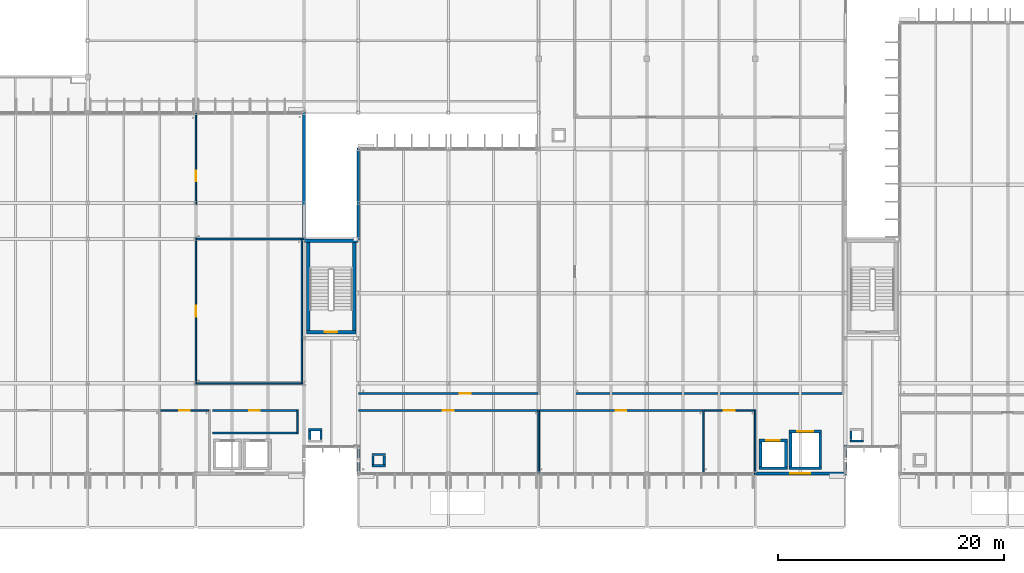
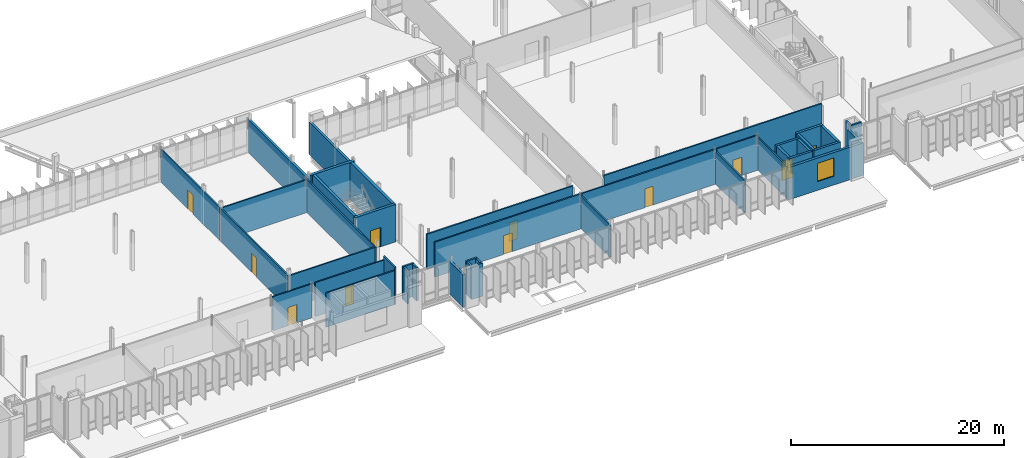
# One storey, part 63 of 107: 43 walls, 11 doors, 1 window, 12 openings.
"""IFC4 building model written with IfcOpenShell, lengths in metres."""

from ifc_helpers import new_model, si_unit, direction, frame, frame_2d, origin, place, context, subcontext, project, spatial, rectangle, extrude, material, layer, layer_set, type_object, element, fill, save


model = new_model("IFC4")

# Units and contexts
model_context = context("Model", 3, precision=1e-05, world=origin(), true_north=direction((0.0, 1.0)))
body_context = subcontext(model_context, "Body", "Model", "MODEL_VIEW")
ifc_project = project(units=[si_unit("LENGTHUNIT", "METRE"), si_unit("AREAUNIT", "SQUARE_METRE"), si_unit("VOLUMEUNIT", "CUBIC_METRE"), si_unit("PLANEANGLEUNIT", "RADIAN"), si_unit("MASSUNIT", "GRAM", prefix="KILO")], contexts=[model_context])

# Site, building, storey
site_placement = place(None, origin())
site = spatial("IfcSite", under=ifc_project, at=site_placement, CompositionType="ELEMENT")
building_placement = place(site_placement, origin())
building = spatial("IfcBuilding", under=site, at=building_placement, Name="Dunescarp Central Library", CompositionType="ELEMENT")
storey_placement = place(building_placement, frame((0.0, 0.0, 5.10009765625)))
storey = spatial("IfcBuildingStorey", under=building, at=storey_placement, Name="L01", CompositionType="ELEMENT", Elevation=5.10009765625)

# Wall
ifc_material_1 = material(Name="Gypsum plasterboard acoustic partition")
ifc_layer_1 = layer(ifc_material_1, 0.14990234375)
ifc_layer_set_1 = layer_set([ifc_layer_1], Name="Gypsum plasterboard acoustic partition")
wall_type_1 = type_object("IfcWallType", Name="ARC-PT-AC150", PredefinedType="PARTITIONING", material=ifc_layer_set_1)
wall_1_placement = place(storey_placement, frame((68.675048828125, 8.39990234375, 0.0), z_axis=(0.0, 0.0, 1.0), x_axis=(1.0, 0.0, 0.0)))
element("IfcWall", 1, at=wall_1_placement, inside=storey, type_object=wall_type_1, Name="L01 partition PT-L01-0171", PredefinedType="PARTITIONING", context=body_context, shape_type="SweptSolid", body=[
    extrude(rectangle(XDim=7.449951171875, YDim=0.14990234375, at=frame_2d((3.72509765625, 0.0))), origin(), (0.0, 0.0, 1.0), 3.90478515625),
])

# Wall, opening, door
wall_2_placement = place(storey_placement, frame((68.675048828125, 10.39990234375, 0.0), z_axis=(0.0, 0.0, 1.0), x_axis=(1.0, 0.0, 0.0)))
wall_2 = element("IfcWall", 2, at=wall_2_placement, inside=storey, type_object=wall_type_1, Name="L01 partition PT-L01-0172", PredefinedType="PARTITIONING", context=body_context, shape_type="SweptSolid", body=[
    extrude(rectangle(XDim=7.449951171875, YDim=0.14990234375, at=frame_2d((3.72509765625, 0.0))), origin(), (0.0, 0.0, 1.0), 3.90478515625),
])
opening_1_placement = place(wall_2_placement, frame((3.25, 0.0, 0.0)))
opening_1 = element("IfcOpeningElement", 3, at=opening_1_placement, cuts=wall_2, Name="Opening DR-L01-0067", PredefinedType="OPENING", context=body_context, shape_type="SweptSolid", body=[
    extrude(rectangle(XDim=0.949951171875, YDim=2.14990234375, at=frame_2d((0.47509765625, 1.074951171875))), frame((0.0, 0.0849609375, 0.0), z_axis=(0.0, -1.0, 0.0), x_axis=(1.0, 0.0, 0.0)), (0.0, 0.0, 1.0), 0.169921875),
])
ifc_material_2 = material(Name="Hardwood solid-core timber leaf", Category="wood")
door_type_1 = type_object("IfcDoorType", Name="ARC-DR-INT950", OperationType="NOTDEFINED", PredefinedType="DOOR", material=ifc_material_2)
door_1_placement = place(opening_1_placement, origin())
door_1 = element("IfcDoor", 4, at=door_1_placement, inside=storey, type_object=door_type_1, Name="L01 interior door DR-L01-0067", OperationType="SINGLE_SWING_LEFT", OverallHeight=2.14990234375, OverallWidth=0.949951171875, PredefinedType="DOOR", context=body_context, shape_type="SweptSolid", body=[
    extrude(rectangle(XDim=0.949951171875, YDim=2.14990234375, at=frame_2d((0.47509765625, 1.074951171875))), frame((0.0, 0.02490234375, 0.0), z_axis=(0.0, -1.0, 0.0), x_axis=(1.0, 0.0, 0.0)), (0.0, 0.0, 1.0), 0.050048828125),
])
fill(opening_1, door_1)

# Walls
wall_3_placement = place(storey_placement, frame((76.199951171875, 8.324951171875, 0.0), z_axis=(0.0, 0.0, 1.0), x_axis=(0.0, 1.0, 0.0)))
element("IfcWall", 5, at=wall_3_placement, inside=storey, type_object=wall_type_1, Name="L01 partition PT-L01-0173", PredefinedType="PARTITIONING", context=body_context, shape_type="SweptSolid", body=[
    extrude(rectangle(XDim=2.150146484375, YDim=0.14990234375, at=frame_2d((1.0751953125, 0.0))), origin(), (0.0, 0.0, 1.0), 4.289794921875),
])
for number, where, z_axis, x_axis, name in (
    (6, (67.27490234375, 12.800048828125, 0.0), (0.0, 0.0, 1.0), (1.0, 0.0, 0.0), "L01 partition PT-L01-0174"),
    (7, (67.27490234375, 25.60009765625, 0.0), (0.0, 0.0, 1.0), (1.0, 0.0, 0.0), "L01 partition PT-L01-0175"),
):
    element("IfcWall", number, at=place(storey_placement, frame(where, z_axis=z_axis, x_axis=x_axis)), inside=storey, type_object=wall_type_1, Name=name, PredefinedType="PARTITIONING", context=body_context, shape_type="SweptSolid", body=[
        extrude(rectangle(XDim=9.25, YDim=0.14990234375, at=frame_2d((4.625, 0.0))), origin(), (0.0, 0.0, 1.0), 3.764892578125),
    ])

# Wall, opening, door
wall_4_placement = place(storey_placement, frame((67.199951171875, 12.72509765625, 0.0), z_axis=(0.0, 0.0, 1.0), x_axis=(0.0, 1.0, 0.0)))
wall_4 = element("IfcWall", 8, at=wall_4_placement, inside=storey, type_object=wall_type_1, Name="L01 partition PT-L01-0176", PredefinedType="PARTITIONING", context=body_context, shape_type="SweptSolid", body=[
    extrude(rectangle(XDim=12.949951171875, YDim=0.14990234375, at=frame_2d((6.47509765625, 0.0))), origin(), (0.0, 0.0, 1.0), 3.764892578125),
])
opening_2_placement = place(wall_4_placement, frame((6.0, 0.0, 0.0)))
opening_2 = element("IfcOpeningElement", 9, at=opening_2_placement, cuts=wall_4, Name="Opening DR-L01-0068", PredefinedType="OPENING", context=body_context, shape_type="SweptSolid", body=[
    extrude(rectangle(XDim=0.949951171875, YDim=2.14990234375, at=frame_2d((0.47509765625, 1.074951171875))), frame((0.0, 0.0849609375, 0.0), z_axis=(0.0, -1.0, 0.0), x_axis=(1.0, 0.0, 0.0)), (0.0, 0.0, 1.0), 0.169921875),
])
door_2_placement = place(opening_2_placement, origin())
door_2 = element("IfcDoor", 10, at=door_2_placement, inside=storey, type_object=door_type_1, Name="L01 interior door DR-L01-0068", OperationType="SINGLE_SWING_RIGHT", OverallHeight=2.14990234375, OverallWidth=0.949951171875, PredefinedType="DOOR", context=body_context, shape_type="SweptSolid", body=[
    extrude(rectangle(XDim=0.949951171875, YDim=2.14990234375, at=frame_2d((0.47509765625, 1.074951171875))), frame((0.0, 0.02490234375, 0.0), z_axis=(0.0, -1.0, 0.0), x_axis=(1.0, 0.0, 0.0)), (0.0, 0.0, 1.0), 0.050048828125),
])
fill(opening_2, door_2)

# Wall
wall_5_placement = place(storey_placement, frame((76.60009765625, 12.72509765625, 0.0), z_axis=(0.0, 0.0, 1.0), x_axis=(0.0, 1.0, 0.0)))
element("IfcWall", 11, at=wall_5_placement, inside=storey, type_object=wall_type_1, Name="L01 partition PT-L01-0177", PredefinedType="PARTITIONING", context=body_context, shape_type="SweptSolid", body=[
    extrude(rectangle(XDim=12.949951171875, YDim=0.14990234375, at=frame_2d((6.47509765625, 0.0))), origin(), (0.0, 0.0, 1.0), 3.764892578125),
])

# Wall, opening, door
wall_6_placement = place(storey_placement, frame((67.199951171875, 25.60009765625, 0.0), z_axis=(0.0, 0.0, 1.0), x_axis=(0.0, 1.0, 0.0)))
wall_6 = element("IfcWall", 12, at=wall_6_placement, inside=storey, type_object=wall_type_1, Name="L01 partition PT-L01-0178", PredefinedType="PARTITIONING", context=body_context, shape_type="SweptSolid", body=[
    extrude(rectangle(XDim=11.159912109375, YDim=0.14990234375, at=frame_2d((5.580078125, 0.0))), origin(), (0.0, 0.0, 1.0), 3.764892578125),
])
opening_3_placement = place(wall_6_placement, frame((5.10498046875, 0.0, 0.0)))
opening_3 = element("IfcOpeningElement", 13, at=opening_3_placement, cuts=wall_6, Name="Opening DR-L01-0069", PredefinedType="OPENING", context=body_context, shape_type="SweptSolid", body=[
    extrude(rectangle(XDim=0.949951171875, YDim=2.14990234375, at=frame_2d((0.47509765625, 1.074951171875))), frame((0.0, 0.0849609375, 0.0), z_axis=(0.0, -1.0, 0.0), x_axis=(1.0, 0.0, 0.0)), (0.0, 0.0, 1.0), 0.169921875),
])
door_3_placement = place(opening_3_placement, origin())
door_3 = element("IfcDoor", 14, at=door_3_placement, inside=storey, type_object=door_type_1, Name="L01 interior door DR-L01-0069", OperationType="SINGLE_SWING_LEFT", OverallHeight=2.14990234375, OverallWidth=0.949951171875, PredefinedType="DOOR", context=body_context, shape_type="SweptSolid", body=[
    extrude(rectangle(XDim=0.949951171875, YDim=2.14990234375, at=frame_2d((0.47509765625, 1.074951171875))), frame((0.0, 0.02490234375, 0.0), z_axis=(0.0, -1.0, 0.0), x_axis=(1.0, 0.0, 0.0)), (0.0, 0.0, 1.0), 0.050048828125),
])
fill(opening_3, door_3)

wall_7_placement = place(storey_placement, frame((81.639892578125, 10.39990234375, 0.0), z_axis=(0.0, 0.0, 1.0), x_axis=(1.0, 0.0, 0.0)))
wall_7 = element("IfcWall", 15, at=wall_7_placement, inside=storey, type_object=wall_type_1, Name="L01 partition PT-L01-0272", PredefinedType="PARTITIONING", context=body_context, shape_type="SweptSolid", body=[
    extrude(rectangle(XDim=15.885009765625, YDim=0.14990234375, at=frame_2d((7.9423828125, 0.0))), origin(), (0.0, 0.0, 1.0), 4.014892578125),
])
opening_4_placement = place(wall_7_placement, frame((7.468017578125, 0.0, 0.0)))
opening_4 = element("IfcOpeningElement", 16, at=opening_4_placement, cuts=wall_7, Name="Opening DR-L01-0113", PredefinedType="OPENING", context=body_context, shape_type="SweptSolid", body=[
    extrude(rectangle(XDim=0.949951171875, YDim=2.14990234375, at=frame_2d((0.47509765625, 1.074951171875))), frame((0.0, 0.0849609375, 0.0), z_axis=(0.0, -1.0, 0.0), x_axis=(1.0, 0.0, 0.0)), (0.0, 0.0, 1.0), 0.169921875),
])
door_4_placement = place(opening_4_placement, origin())
door_4 = element("IfcDoor", 17, at=door_4_placement, inside=storey, type_object=door_type_1, Name="L01 interior door DR-L01-0113", OperationType="SINGLE_SWING_RIGHT", OverallHeight=2.14990234375, OverallWidth=0.949951171875, PredefinedType="DOOR", context=body_context, shape_type="SweptSolid", body=[
    extrude(rectangle(XDim=0.949951171875, YDim=2.14990234375, at=frame_2d((0.47509765625, 1.074951171875))), frame((0.0, 0.02490234375, 0.0), z_axis=(0.0, -1.0, 0.0), x_axis=(1.0, 0.0, 0.0)), (0.0, 0.0, 1.0), 0.050048828125),
])
fill(opening_4, door_4)

# Wall
wall_8_placement = place(storey_placement, frame((97.60009765625, 4.840087890625, 0.0), z_axis=(0.0, 0.0, 1.0), x_axis=(0.0, 1.0, 0.0)))
element("IfcWall", 18, at=wall_8_placement, inside=storey, type_object=wall_type_1, Name="L01 partition PT-L01-0273", PredefinedType="PARTITIONING", context=body_context, shape_type="SweptSolid", body=[
    extrude(rectangle(XDim=5.635009765625, YDim=0.14990234375, at=frame_2d((2.8173828125, 0.0))), origin(), (0.0, 0.0, 1.0), 3.71484375),
])

# Wall, opening, door
wall_9_placement = place(storey_placement, frame((97.60009765625, 10.39990234375, 0.0), z_axis=(0.0, 0.0, 1.0), x_axis=(1.0, 0.0, 0.0)))
wall_9 = element("IfcWall", 19, at=wall_9_placement, inside=storey, type_object=wall_type_1, Name="L01 partition PT-L01-0274", PredefinedType="PARTITIONING", context=body_context, shape_type="SweptSolid", body=[
    extrude(rectangle(XDim=14.599853515625, YDim=0.14990234375, at=frame_2d((7.2998046875, 0.0))), origin(), (0.0, 0.0, 1.0), 4.014892578125),
])
opening_5_placement = place(wall_9_placement, frame((6.85009765625, 0.0, 0.0)))
opening_5 = element("IfcOpeningElement", 20, at=opening_5_placement, cuts=wall_9, Name="Opening DR-L01-0114", PredefinedType="OPENING", context=body_context, shape_type="SweptSolid", body=[
    extrude(rectangle(XDim=0.89990234375, YDim=2.14990234375, at=frame_2d((0.449951171875, 1.074951171875))), frame((0.0, 0.0849609375, 0.0), z_axis=(0.0, -1.0, 0.0), x_axis=(1.0, 0.0, 0.0)), (0.0, 0.0, 1.0), 0.169921875),
])
door_type_2 = type_object("IfcDoorType", Name="ARC-DR-OFF900", OperationType="NOTDEFINED", PredefinedType="DOOR", material=ifc_material_2)
door_5_placement = place(opening_5_placement, origin())
door_5 = element("IfcDoor", 21, at=door_5_placement, inside=storey, type_object=door_type_2, Name="L01 interior door DR-L01-0114", OperationType="SINGLE_SWING_LEFT", OverallHeight=2.14990234375, OverallWidth=0.89990234375, PredefinedType="DOOR", context=body_context, shape_type="SweptSolid", body=[
    extrude(rectangle(XDim=0.89990234375, YDim=2.14990234375, at=frame_2d((0.449951171875, 1.074951171875))), frame((0.0, 0.02490234375, 0.0), z_axis=(0.0, -1.0, 0.0), x_axis=(1.0, 0.0, 0.0)), (0.0, 0.0, 1.0), 0.050048828125),
])
fill(opening_5, door_5)

wall_10_placement = place(storey_placement, frame((81.639892578125, 11.89990234375, 0.0), z_axis=(0.0, 0.0, 1.0), x_axis=(1.0, 0.0, 0.0)))
wall_10 = element("IfcWall", 22, at=wall_10_placement, inside=storey, type_object=wall_type_1, Name="L01 partition PT-L01-0275", PredefinedType="PARTITIONING", context=body_context, shape_type="SweptSolid", body=[
    extrude(rectangle(XDim=15.885009765625, YDim=0.14990234375, at=frame_2d((7.9423828125, 0.0))), origin(), (0.0, 0.0, 1.0), 4.014892578125),
])
opening_6_placement = place(wall_10_placement, frame((8.968017578125, 0.0, 0.0)))
opening_6 = element("IfcOpeningElement", 23, at=opening_6_placement, cuts=wall_10, Name="Opening DR-L01-0115", PredefinedType="OPENING", context=body_context, shape_type="SweptSolid", body=[
    extrude(rectangle(XDim=0.949951171875, YDim=2.14990234375, at=frame_2d((0.47509765625, 1.074951171875))), frame((0.0, 0.0849609375, 0.0), z_axis=(0.0, -1.0, 0.0), x_axis=(1.0, 0.0, 0.0)), (0.0, 0.0, 1.0), 0.169921875),
])
door_6_placement = place(opening_6_placement, origin())
door_6 = element("IfcDoor", 24, at=door_6_placement, inside=storey, type_object=door_type_1, Name="L01 interior door DR-L01-0115", OperationType="SINGLE_SWING_RIGHT", OverallHeight=2.14990234375, OverallWidth=0.949951171875, PredefinedType="DOOR", context=body_context, shape_type="SweptSolid", body=[
    extrude(rectangle(XDim=0.949951171875, YDim=2.14990234375, at=frame_2d((0.47509765625, 1.074951171875))), frame((0.0, 0.02490234375, 0.0), z_axis=(0.0, -1.0, 0.0), x_axis=(1.0, 0.0, 0.0)), (0.0, 0.0, 1.0), 0.050048828125),
])
fill(opening_6, door_6)

# Wall
wall_11_placement = place(storey_placement, frame((100.875, 11.89990234375, 0.0), z_axis=(0.0, 0.0, 1.0), x_axis=(1.0, 0.0, 0.0)))
element("IfcWall", 25, at=wall_11_placement, inside=storey, type_object=wall_type_1, Name="L01 partition PT-L01-0277", PredefinedType="PARTITIONING", context=body_context, shape_type="SweptSolid", body=[
    extrude(rectangle(XDim=23.64990234375, YDim=0.14990234375, at=frame_2d((11.824951171875, 0.0))), origin(), (0.0, 0.0, 1.0), 4.014892578125),
])

# Wall, opening, door
ifc_material_3 = material(Name="Autoclaved aerated concrete block", Category="concrete")
ifc_layer_2 = layer(ifc_material_3, 0.139892578125)
ifc_layer_set_2 = layer_set([ifc_layer_2], Name="Autoclaved aerated concrete block")
wall_type_2 = type_object("IfcWallType", Name="ARC-PT-WET140", PredefinedType="PARTITIONING", material=ifc_layer_set_2)
wall_12_placement = place(storey_placement, frame((64.070068359375, 10.39990234375, 0.0), z_axis=(0.0, 0.0, 1.0), x_axis=(1.0, 0.0, 0.0)))
wall_12 = element("IfcWall", 26, at=wall_12_placement, inside=storey, type_object=wall_type_2, Name="L01 partition PT-L01-0163", PredefinedType="PARTITIONING", context=body_context, shape_type="SweptSolid", body=[
    extrude(rectangle(XDim=4.260009765625, YDim=0.139892578125, at=frame_2d((2.1298828125, 0.0))), origin(), (0.0, 0.0, 1.0), 3.90478515625),
])
opening_7_placement = place(wall_12_placement, frame((1.655029296875, 0.0, 0.0)))
opening_7 = element("IfcOpeningElement", 27, at=opening_7_placement, cuts=wall_12, Name="Opening DR-L01-0063", PredefinedType="OPENING", context=body_context, shape_type="SweptSolid", body=[
    extrude(rectangle(XDim=0.949951171875, YDim=2.10009765625, at=frame_2d((0.47509765625, 1.050048828125))), frame((0.0, 0.080078125, 0.0), z_axis=(0.0, -1.0, 0.0), x_axis=(1.0, 0.0, 0.0)), (0.0, 0.0, 1.0), 0.159912109375),
])
door_type_3 = type_object("IfcDoorType", Name="ARC-DR-WC950", OperationType="NOTDEFINED", PredefinedType="DOOR", material=ifc_material_2)
door_7_placement = place(opening_7_placement, origin())
door_7 = element("IfcDoor", 28, at=door_7_placement, inside=storey, type_object=door_type_3, Name="L01 interior door DR-L01-0063", OperationType="SINGLE_SWING_LEFT", OverallHeight=2.10009765625, OverallWidth=0.949951171875, PredefinedType="DOOR", context=body_context, shape_type="SweptSolid", body=[
    extrude(rectangle(XDim=0.949951171875, YDim=2.10009765625, at=frame_2d((0.47509765625, 1.050048828125))), frame((0.0, 0.02490234375, 0.0), z_axis=(0.0, -1.0, 0.0), x_axis=(1.0, 0.0, 0.0)), (0.0, 0.0, 1.0), 0.050048828125),
])
fill(opening_7, door_7)

wall_13_placement = place(storey_placement, frame((112.27001953125, 10.39990234375, 0.0), z_axis=(0.0, 0.0, 1.0), x_axis=(1.0, 0.0, 0.0)))
wall_13 = element("IfcWall", 29, at=wall_13_placement, inside=storey, type_object=wall_type_2, Name="L01 partition PT-L01-0269", PredefinedType="PARTITIONING", context=body_context, shape_type="SweptSolid", body=[
    extrude(rectangle(XDim=4.4599609375, YDim=0.139892578125, at=frame_2d((2.22998046875, 0.0))), origin(), (0.0, 0.0, 1.0), 4.014892578125),
])
opening_8_placement = place(wall_13_placement, frame((1.7548828125, 0.0, 0.0)))
opening_8 = element("IfcOpeningElement", 30, at=opening_8_placement, cuts=wall_13, Name="Opening DR-L01-0112", PredefinedType="OPENING", context=body_context, shape_type="SweptSolid", body=[
    extrude(rectangle(XDim=0.949951171875, YDim=2.10009765625, at=frame_2d((0.47509765625, 1.050048828125))), frame((0.0, 0.080078125, 0.0), z_axis=(0.0, -1.0, 0.0), x_axis=(1.0, 0.0, 0.0)), (0.0, 0.0, 1.0), 0.159912109375),
])
door_8_placement = place(opening_8_placement, origin())
door_8 = element("IfcDoor", 31, at=door_8_placement, inside=storey, type_object=door_type_3, Name="L01 interior door DR-L01-0112", OperationType="SINGLE_SWING_LEFT", OverallHeight=2.10009765625, OverallWidth=0.949951171875, PredefinedType="DOOR", context=body_context, shape_type="SweptSolid", body=[
    extrude(rectangle(XDim=0.949951171875, YDim=2.10009765625, at=frame_2d((0.47509765625, 1.050048828125))), frame((0.0, 0.02490234375, 0.0), z_axis=(0.0, -1.0, 0.0), x_axis=(1.0, 0.0, 0.0)), (0.0, 0.0, 1.0), 0.050048828125),
])
fill(opening_8, door_8)

# Walls
for number, where, z_axis, x_axis, name in (
    (32, (112.199951171875, 4.840087890625, 0.0), (0.0, 0.0, 1.0), (0.0, 1.0, 0.0), "L01 partition PT-L01-0270"),
    (33, (116.800048828125, 4.840087890625, 0.0), (0.0, 0.0, 1.0), (0.0, 1.0, 0.0), "L01 partition PT-L01-0271"),
):
    element("IfcWall", number, at=place(storey_placement, frame(where, z_axis=z_axis, x_axis=x_axis)), inside=storey, type_object=wall_type_2, Name=name, PredefinedType="PARTITIONING", context=body_context, shape_type="SweptSolid", body=[
        extrude(rectangle(XDim=5.6298828125, YDim=0.139892578125, at=frame_2d((2.81494140625, 0.0))), origin(), (0.0, 0.0, 1.0), 3.71484375),
    ])
ifc_material_4 = material(Name="Glass-fibre reinforced concrete GRC", Category="concrete")
ifc_layer_3 = layer(ifc_material_4, 0.260009765625)
ifc_layer_set_3 = layer_set([ifc_layer_3], Name="Glass-fibre reinforced concrete GRC")
wall_type_3 = type_object("IfcWallType", Name="ARC-WL-GRC260", PredefinedType="SOLIDWALL", material=ifc_layer_set_3)
wall_14_placement = place(storey_placement, frame((76.800048828125, 36.885009765625, 0.0), z_axis=(0.0, 0.0, 1.0), x_axis=(0.0, -1.0, 0.0)))
element("IfcWall", 34, at=wall_14_placement, inside=storey, type_object=wall_type_3, Name="L01 external wall EW-V2-042", PredefinedType="SOLIDWALL", context=body_context, shape_type="SweptSolid", body=[
    extrude(rectangle(XDim=11.3701171875, YDim=0.260009765625, at=frame_2d((5.68505859375, 0.0))), origin(), (0.0, 0.0, 1.0), 3.764892578125),
])
wall_15_placement = place(storey_placement, frame((81.60009765625, 4.715087890625, 0.0), z_axis=(0.0, 0.0, 1.0), x_axis=(0.0, 1.0, 0.0)))
element("IfcWall", 35, at=wall_15_placement, inside=storey, type_object=wall_type_3, Name="L01 external wall EW-V3-072", PredefinedType="SOLIDWALL", context=body_context, shape_type="SweptSolid", body=[
    extrude(rectangle(XDim=2.56982421875, YDim=0.260009765625, at=frame_2d((1.284912109375, 0.0))), origin(), (0.0, 0.0, 1.0), 3.71484375),
])
wall_16_placement = place(storey_placement, frame((81.60009765625, 25.514892578125, 0.0), z_axis=(0.0, 0.0, 1.0), x_axis=(0.0, 1.0, 0.0)))
element("IfcWall", 36, at=wall_16_placement, inside=storey, type_object=wall_type_3, Name="L01 external wall EW-V3-073", PredefinedType="SOLIDWALL", context=body_context, shape_type="SweptSolid", body=[
    extrude(rectangle(XDim=8.170166015625, YDim=0.260009765625, at=frame_2d((4.0849609375, 0.0))), origin(), (0.0, 0.0, 1.0), 3.71484375),
])
wall_17_placement = place(storey_placement, frame((124.800048828125, 7.284912109375, 0.0), z_axis=(0.0, 0.0, 1.0), x_axis=(0.0, -1.0, 0.0)))
element("IfcWall", 37, at=wall_17_placement, inside=storey, type_object=wall_type_3, Name="L01 external wall EW-V3-074", PredefinedType="SOLIDWALL", context=body_context, shape_type="SweptSolid", body=[
    extrude(rectangle(XDim=2.56982421875, YDim=0.260009765625, at=frame_2d((1.284912109375, 0.0))), origin(), (0.0, 0.0, 1.0), 3.71484375),
])

# Wall, opening, window
ifc_layer_4 = layer(ifc_material_4, 0.280029296875)
ifc_layer_set_4 = layer_set([ifc_layer_4], Name="Glass-fibre reinforced concrete GRC")
wall_type_4 = type_object("IfcWallType", Name="ARC-WL-GRC280", PredefinedType="SOLIDWALL", material=ifc_layer_set_4)
wall_18_placement = place(storey_placement, frame((124.885009765625, 4.800048828125, 0.0), z_axis=(0.0, 0.0, 1.0), x_axis=(-1.0, 0.0, 0.0)))
wall_18 = element("IfcWall", 38, at=wall_18_placement, inside=storey, type_object=wall_type_4, Name="L01 external wall EW-V3-071", PredefinedType="SOLIDWALL", context=body_context, shape_type="SweptSolid", body=[
    extrude(rectangle(XDim=8.169921875, YDim=0.280029296875, at=frame_2d((4.0849609375, 0.0))), origin(), (0.0, 0.0, 1.0), 3.71484375),
])
opening_9_placement = place(wall_18_placement, frame((3.18505859375, 0.0, 1.0)))
opening_9 = element("IfcOpeningElement", 39, at=opening_9_placement, cuts=wall_18, Name="Opening WN-015", PredefinedType="OPENING", context=body_context, shape_type="SweptSolid", body=[
    extrude(rectangle(XDim=1.800048828125, YDim=2.10009765625, at=frame_2d((0.89990234375, 1.050048828125))), frame((0.0, 0.14990234375, 0.0), z_axis=(0.0, -1.0, 0.0), x_axis=(1.0, 0.0, 0.0)), (0.0, 0.0, 1.0), 0.300048828125),
])
ifc_material_5 = material(Name="Solar-control laminated double glazing", Category="glass")
window_type = type_object("IfcWindowType", Name="ARC-WN-1800X2100", PartitioningType="SINGLE_PANEL", PredefinedType="WINDOW", material=ifc_material_5)
window_placement = place(opening_9_placement, origin())
window = element("IfcWindow", 40, at=window_placement, inside=storey, type_object=window_type, Name="L01 window WN-015", OverallHeight=2.10009765625, OverallWidth=1.800048828125, PartitioningType="SINGLE_PANEL", PredefinedType="WINDOW", context=body_context, shape_type="SweptSolid", body=[
    extrude(rectangle(XDim=1.800048828125, YDim=2.10009765625, at=frame_2d((0.89990234375, 1.050048828125))), frame((0.0, 0.030029296875, 0.0), z_axis=(0.0, -1.0, 0.0), x_axis=(1.0, 0.0, 0.0)), (0.0, 0.0, 1.0), 0.06005859375),
])
fill(opening_9, window)

# Walls
ifc_material_6 = material(Name="Concrete C35/45", Category="concrete")
ifc_layer_5 = layer(ifc_material_6, 0.199951171875)
ifc_layer_set_5 = layer_set([ifc_layer_5], Name="Concrete C35/45")
wall_type_5 = type_object("IfcWallType", Name="ARC-WL-RISER200", PredefinedType="PARTITIONING", material=ifc_layer_set_5)
for number, where, z_axis, x_axis, name in (
    (41, (84.0, 5.5, 0.0), (0.0, 0.0, 1.0), (-1.0, 0.0, 0.0), "L01 V3 duct shaft wall S"),
    (42, (82.800048828125, 6.5, 0.0), (0.0, 0.0, 1.0), (1.0, 0.0, 0.0), "L01 V3 duct shaft wall N"),
):
    element("IfcWall", number, at=place(storey_placement, frame(where, z_axis=z_axis, x_axis=x_axis)), inside=storey, type_object=wall_type_5, Name=name, PredefinedType="PARTITIONING", context=body_context, shape_type="SweptSolid", body=[
        extrude(rectangle(XDim=1.199951171875, YDim=0.199951171875, at=frame_2d((0.60009765625, 0.0))), origin(), (0.0, 0.0, 1.0), 3.789794921875),
    ])
for number, where, z_axis, x_axis, name in (
    (43, (82.89990234375, 5.6201171875, 0.0), (0.0, 0.0, 1.0), (0.0, 1.0, 0.0), "L01 V3 duct shaft wall W"),
    (44, (83.89990234375, 6.3798828125, 0.0), (0.0, 0.0, 1.0), (0.0, -1.0, 0.0), "L01 V3 duct shaft wall E"),
):
    element("IfcWall", number, at=place(storey_placement, frame(where, z_axis=z_axis, x_axis=x_axis)), inside=storey, type_object=wall_type_5, Name=name, PredefinedType="PARTITIONING", context=body_context, shape_type="SweptSolid", body=[
        extrude(rectangle(XDim=0.759765625, YDim=0.199951171875, at=frame_2d((0.3798828125, 0.0))), origin(), (0.0, 0.0, 1.0), 3.789794921875),
    ])
wall_19_placement = place(storey_placement, frame((77.199951171875, 8.699951171875, 0.0), z_axis=(0.0, 0.0, 1.0), x_axis=(1.0, 0.0, 0.0)))
element("IfcWall", 45, at=wall_19_placement, inside=storey, type_object=wall_type_5, Name="L01 GL2 duct shaft wall N", PredefinedType="PARTITIONING", context=body_context, shape_type="SweptSolid", body=[
    extrude(rectangle(XDim=1.199951171875, YDim=0.199951171875, at=frame_2d((0.60009765625, 0.0))), origin(), (0.0, 0.0, 1.0), 3.789794921875),
])
for number, where, z_axis, x_axis, name in (
    (46, (77.300048828125, 7.820068359375, 0.0), (0.0, 0.0, 1.0), (0.0, 1.0, 0.0), "L01 GL2 duct shaft wall W"),
    (47, (78.300048828125, 8.580078125, 0.0), (0.0, 0.0, 1.0), (0.0, -1.0, 0.0), "L01 GL2 duct shaft wall E"),
):
    element("IfcWall", number, at=place(storey_placement, frame(where, z_axis=z_axis, x_axis=x_axis)), inside=storey, type_object=wall_type_5, Name=name, PredefinedType="PARTITIONING", context=body_context, shape_type="SweptSolid", body=[
        extrude(rectangle(XDim=0.760009765625, YDim=0.199951171875, at=frame_2d((0.3798828125, 0.0))), origin(), (0.0, 0.0, 1.0), 3.789794921875),
    ])
wall_20_placement = place(storey_placement, frame((126.39990234375, 7.699951171875, 0.0), z_axis=(0.0, 0.0, 1.0), x_axis=(-1.0, 0.0, 0.0)))
element("IfcWall", 48, at=wall_20_placement, inside=storey, type_object=wall_type_5, Name="L01 GL3 duct shaft wall S", PredefinedType="PARTITIONING", context=body_context, shape_type="SweptSolid", body=[
    extrude(rectangle(XDim=1.199951171875, YDim=0.199951171875, at=frame_2d((0.60009765625, 0.0))), origin(), (0.0, 0.0, 1.0), 3.789794921875),
])
wall_21_placement = place(storey_placement, frame((125.300048828125, 7.820068359375, 0.0), z_axis=(0.0, 0.0, 1.0), x_axis=(0.0, 1.0, 0.0)))
element("IfcWall", 49, at=wall_21_placement, inside=storey, type_object=wall_type_5, Name="L01 GL3 duct shaft wall W", PredefinedType="PARTITIONING", context=body_context, shape_type="SweptSolid", body=[
    extrude(rectangle(XDim=0.760009765625, YDim=0.199951171875, at=frame_2d((0.3798828125, 0.0))), origin(), (0.0, 0.0, 1.0), 3.789794921875),
])
ifc_material_7 = material(Name="Concrete C40/50", Category="concrete")
ifc_layer_6 = layer(ifc_material_7, 0.25)
ifc_layer_set_6 = layer_set([ifc_layer_6], Name="Concrete C40/50")
wall_type_6 = type_object("IfcWallType", Name="STR-WL-CORE250", PredefinedType="SHEAR", material=ifc_layer_set_6)
wall_22_placement = place(storey_placement, frame((119.64990234375, 5.27490234375, 0.0), z_axis=(0.0, 0.0, 1.0), x_axis=(-1.0, 0.0, 0.0)))
element("IfcWall", 50, at=wall_22_placement, inside=storey, type_object=wall_type_6, Name="L01 PL-3 lift shaft wall S", PredefinedType="SHEAR", context=body_context, shape_type="SweptSolid", body=[
    extrude(rectangle(XDim=2.5, YDim=0.25, at=frame_2d((1.25, 0.0))), origin(), (0.0, 0.0, 1.0), 4.289794921875),
])

# Wall, opening, door
wall_23_placement = place(storey_placement, frame((117.14990234375, 7.72509765625, 0.0), z_axis=(0.0, 0.0, 1.0), x_axis=(1.0, 0.0, 0.0)))
wall_23 = element("IfcWall", 51, at=wall_23_placement, inside=storey, type_object=wall_type_6, Name="L01 PL-3 lift shaft wall N", PredefinedType="SHEAR", context=body_context, shape_type="SweptSolid", body=[
    extrude(rectangle(XDim=2.5, YDim=0.25, at=frame_2d((1.25, 0.0))), origin(), (0.0, 0.0, 1.0), 4.289794921875),
])
opening_10_placement = place(wall_23_placement, frame((0.64990234375, 0.0, 0.0)))
opening_10 = element("IfcOpeningElement", 52, at=opening_10_placement, cuts=wall_23, Name="Opening LD-PL-3-L01", PredefinedType="OPENING", context=body_context, shape_type="SweptSolid", body=[
    extrude(rectangle(XDim=1.199951171875, YDim=2.199951171875, at=frame_2d((0.60009765625, 1.10009765625))), frame((0.0, 0.135009765625, 0.0), z_axis=(0.0, -1.0, 0.0), x_axis=(1.0, 0.0, 0.0)), (0.0, 0.0, 1.0), 0.27001953125),
])
ifc_material_8 = material(Name="Stainless steel Grade 316L", Category="steel")
door_type_4 = type_object("IfcDoorType", Name="ARC-DR-LD1200", OperationType="DOUBLE_DOOR_SLIDING", PredefinedType="DOOR", material=ifc_material_8)
door_9_placement = place(opening_10_placement, origin())
door_9 = element("IfcDoor", 53, at=door_9_placement, inside=storey, type_object=door_type_4, Name="L01 PL-3 lift landing door", OperationType="DOUBLE_DOOR_SLIDING", OverallHeight=2.199951171875, OverallWidth=1.199951171875, PredefinedType="DOOR", context=body_context, shape_type="SweptSolid", body=[
    extrude(rectangle(XDim=1.199951171875, YDim=2.199951171875, at=frame_2d((0.60009765625, 1.10009765625))), frame((0.0, 0.02490234375, 0.0), z_axis=(0.0, -1.0, 0.0), x_axis=(1.0, 0.0, 0.0)), (0.0, 0.0, 1.0), 0.050048828125),
])
fill(opening_10, door_9)

# Walls
for number, where, z_axis, x_axis, name in (
    (54, (117.27490234375, 5.39990234375, 0.0), (0.0, 0.0, 1.0), (0.0, 1.0, 0.0), "L01 PL-3 lift shaft wall W"),
    (55, (119.52490234375, 7.60009765625, 0.0), (0.0, 0.0, 1.0), (0.0, -1.0, 0.0), "L01 PL-3 lift shaft wall E"),
):
    element("IfcWall", number, at=place(storey_placement, frame(where, z_axis=z_axis, x_axis=x_axis)), inside=storey, type_object=wall_type_6, Name=name, PredefinedType="SHEAR", context=body_context, shape_type="SweptSolid", body=[
        extrude(rectangle(XDim=2.2001953125, YDim=0.25, at=frame_2d((1.10009765625, 0.0))), origin(), (0.0, 0.0, 1.0), 4.289794921875),
    ])
wall_24_placement = place(storey_placement, frame((122.699951171875, 5.27490234375, 0.0), z_axis=(0.0, 0.0, 1.0), x_axis=(-1.0, 0.0, 0.0)))
element("IfcWall", 56, at=wall_24_placement, inside=storey, type_object=wall_type_6, Name="L01 BL-1 lift shaft wall S", PredefinedType="SHEAR", context=body_context, shape_type="SweptSolid", body=[
    extrude(rectangle(XDim=2.89990234375, YDim=0.25, at=frame_2d((1.449951171875, 0.0))), origin(), (0.0, 0.0, 1.0), 4.289794921875),
])

# Wall, opening, door
wall_25_placement = place(storey_placement, frame((119.800048828125, 8.52490234375, 0.0), z_axis=(0.0, 0.0, 1.0), x_axis=(1.0, 0.0, 0.0)))
wall_25 = element("IfcWall", 57, at=wall_25_placement, inside=storey, type_object=wall_type_6, Name="L01 BL-1 lift shaft wall N", PredefinedType="SHEAR", context=body_context, shape_type="SweptSolid", body=[
    extrude(rectangle(XDim=2.89990234375, YDim=0.25, at=frame_2d((1.449951171875, 0.0))), origin(), (0.0, 0.0, 1.0), 4.289794921875),
])
opening_11_placement = place(wall_25_placement, frame((0.75, 0.0, 0.0)))
opening_11 = element("IfcOpeningElement", 58, at=opening_11_placement, cuts=wall_25, Name="Opening LD-BL-1-L01", PredefinedType="OPENING", context=body_context, shape_type="SweptSolid", body=[
    extrude(rectangle(XDim=1.39990234375, YDim=2.199951171875, at=frame_2d((0.699951171875, 1.10009765625))), frame((0.0, 0.135009765625, 0.0), z_axis=(0.0, -1.0, 0.0), x_axis=(1.0, 0.0, 0.0)), (0.0, 0.0, 1.0), 0.27001953125),
])
door_type_5 = type_object("IfcDoorType", Name="ARC-DR-LD1400", OperationType="DOUBLE_DOOR_SLIDING", PredefinedType="DOOR", material=ifc_material_8)
door_10_placement = place(opening_11_placement, origin())
door_10 = element("IfcDoor", 59, at=door_10_placement, inside=storey, type_object=door_type_5, Name="L01 BL-1 lift landing door", OperationType="DOUBLE_DOOR_SLIDING", OverallHeight=2.199951171875, OverallWidth=1.39990234375, PredefinedType="DOOR", context=body_context, shape_type="SweptSolid", body=[
    extrude(rectangle(XDim=1.39990234375, YDim=2.199951171875, at=frame_2d((0.699951171875, 1.10009765625))), frame((0.0, 0.02490234375, 0.0), z_axis=(0.0, -1.0, 0.0), x_axis=(1.0, 0.0, 0.0)), (0.0, 0.0, 1.0), 0.050048828125),
])
fill(opening_11, door_10)

# Walls
for number, where, z_axis, x_axis, name in (
    (60, (119.925048828125, 5.39990234375, 0.0), (0.0, 0.0, 1.0), (0.0, 1.0, 0.0), "L01 BL-1 lift shaft wall W"),
    (61, (122.574951171875, 8.39990234375, 0.0), (0.0, 0.0, 1.0), (0.0, -1.0, 0.0), "L01 BL-1 lift shaft wall E"),
):
    element("IfcWall", number, at=place(storey_placement, frame(where, z_axis=z_axis, x_axis=x_axis)), inside=storey, type_object=wall_type_6, Name=name, PredefinedType="SHEAR", context=body_context, shape_type="SweptSolid", body=[
        extrude(rectangle(XDim=3.0, YDim=0.25, at=frame_2d((1.5, 0.0))), origin(), (0.0, 0.0, 1.0), 4.289794921875),
    ])

# Wall, opening, door
ifc_layer_7 = layer(ifc_material_7, 0.300048828125)
ifc_layer_set_7 = layer_set([ifc_layer_7], Name="Concrete C40/50")
wall_type_7 = type_object("IfcWallType", Name="STR-WL-CORE300", PredefinedType="SHEAR", material=ifc_layer_set_7)
wall_26_placement = place(storey_placement, frame((81.39990234375, 17.35009765625, 0.0), z_axis=(0.0, 0.0, 1.0), x_axis=(-1.0, 0.0, 0.0)))
wall_26 = element("IfcWall", 62, at=wall_26_placement, inside=storey, type_object=wall_type_7, Name="L01 ST-3 south core wall", PredefinedType="SHEAR", context=body_context, shape_type="SweptSolid", body=[
    extrude(rectangle(XDim=4.39990234375, YDim=0.300048828125, at=frame_2d((2.199951171875, 0.0))), origin(), (0.0, 0.0, 1.0), 4.289794921875),
])
opening_12_placement = place(wall_26_placement, frame((1.64990234375, 0.0, 0.0)))
opening_12 = element("IfcOpeningElement", 63, at=opening_12_placement, cuts=wall_26, Name="Opening D-ST-3-L01", PredefinedType="OPENING", context=body_context, shape_type="SweptSolid", body=[
    extrude(rectangle(XDim=1.10009765625, YDim=2.199951171875, at=frame_2d((0.550048828125, 1.10009765625))), frame((0.0, 0.16015625, 0.0), z_axis=(0.0, -1.0, 0.0), x_axis=(1.0, 0.0, 0.0)), (0.0, 0.0, 1.0), 0.320068359375),
])
ifc_material_9 = material(Name="Galvanised steel FD120S", Category="steel")
door_type_6 = type_object("IfcDoorType", Name="ARC-DR-STAIR", OperationType="NOTDEFINED", PredefinedType="DOOR", material=ifc_material_9)
door_11_placement = place(opening_12_placement, origin())
door_11 = element("IfcDoor", 64, at=door_11_placement, inside=storey, type_object=door_type_6, Name="L01 ST-3 fire stair door", OperationType="SINGLE_SWING_RIGHT", OverallHeight=2.199951171875, OverallWidth=1.10009765625, PredefinedType="DOOR", context=body_context, shape_type="SweptSolid", body=[
    extrude(rectangle(XDim=1.10009765625, YDim=2.199951171875, at=frame_2d((0.550048828125, 1.10009765625))), frame((0.0, 0.02490234375, 0.0), z_axis=(0.0, -1.0, 0.0), x_axis=(1.0, 0.0, 0.0)), (0.0, 0.0, 1.0), 0.050048828125),
])
fill(opening_12, door_11)

# Walls
wall_27_placement = place(storey_placement, frame((76.820068359375, 25.449951171875, 0.0), z_axis=(0.0, 0.0, 1.0), x_axis=(1.0, 0.0, 0.0)))
element("IfcWall", 65, at=wall_27_placement, inside=storey, type_object=wall_type_7, Name="L01 ST-3 north core wall", PredefinedType="SHEAR", context=body_context, shape_type="SweptSolid", body=[
    extrude(rectangle(XDim=4.760009765625, YDim=0.300048828125, at=frame_2d((2.3798828125, 0.0))), origin(), (0.0, 0.0, 1.0), 4.289794921875),
])
for number, where, z_axis, x_axis, name in (
    (66, (77.14990234375, 17.5, 0.0), (0.0, 0.0, 1.0), (0.0, 1.0, 0.0), "L01 ST-3 west core wall"),
    (67, (81.25, 25.300048828125, 0.0), (0.0, 0.0, 1.0), (0.0, -1.0, 0.0), "L01 ST-3 east core wall"),
):
    element("IfcWall", number, at=place(storey_placement, frame(where, z_axis=z_axis, x_axis=x_axis)), inside=storey, type_object=wall_type_7, Name=name, PredefinedType="SHEAR", context=body_context, shape_type="SweptSolid", body=[
        extrude(rectangle(XDim=7.800048828125, YDim=0.300048828125, at=frame_2d((3.89990234375, 0.0))), origin(), (0.0, 0.0, 1.0), 4.289794921875),
    ])

save(model, "model.ifc")
